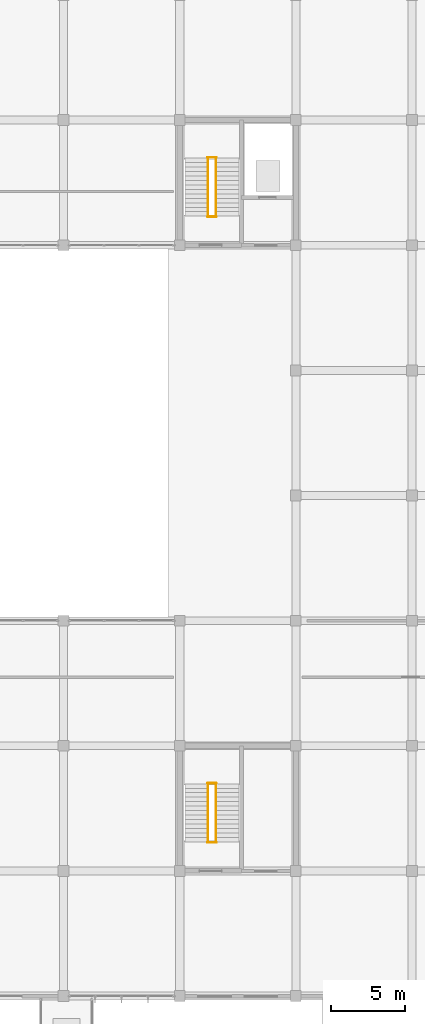
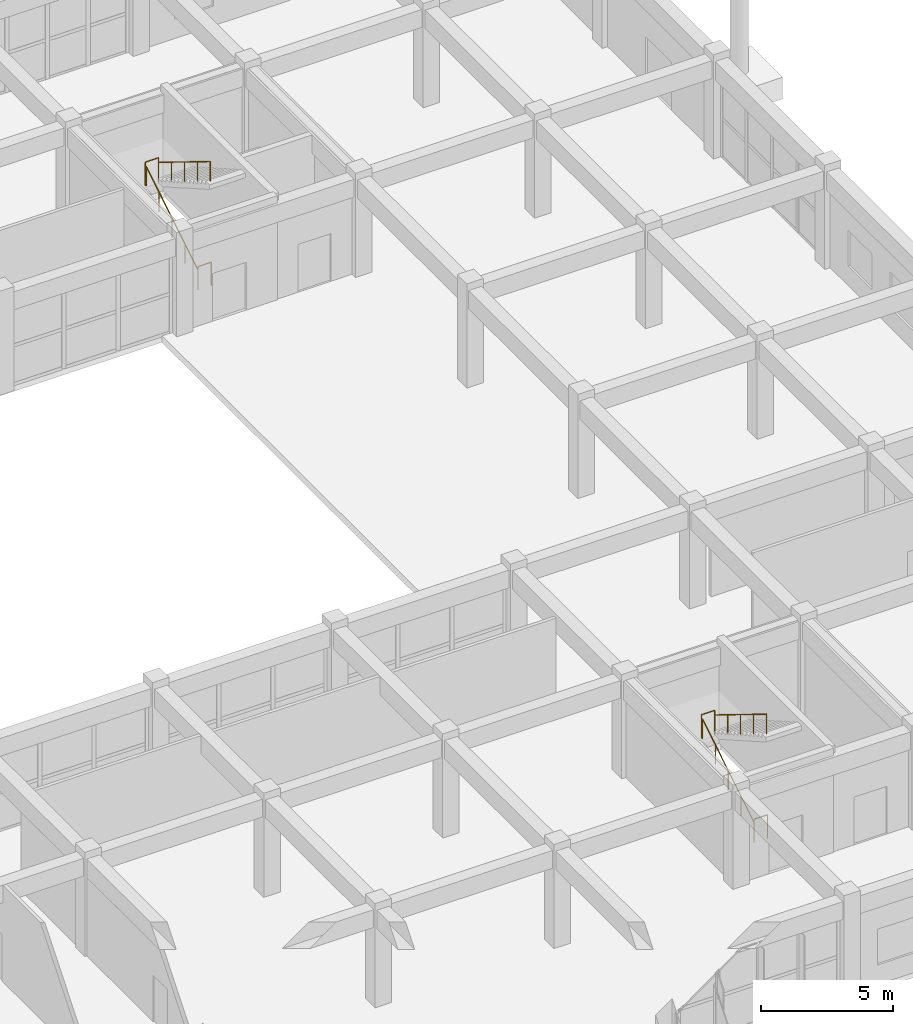
# One storey, part 138 of 139: 8 railings.
"""IFC4 building model written with IfcOpenShell, lengths in metres."""

import ifcopenshell
import ifcopenshell.guid

model = None  # the IFC model being written
_history = None  # IfcOwnerHistory: only IFC2X3 demands one
_inside = {}  # id of a spatial element -> (the spatial element, [elements in it])
_under = {}  # id of a project, library or spatial element -> (it, [spatial elements below it])
_declared = {}  # id of a project -> (the project, [libraries it declares])
_typed = {}  # id of a type object -> (the type object, [elements of that type])
_made_of = {}  # id of a material, layer set ... -> (it, [elements and type objects made of it])


def new_model(schema):
    """Start an empty IFC model of exactly this schema.

    Asked for "IFC4X3", IfcOpenShell would pick the latest addendum, in which some entities
    have other attributes; the version numbers below select the first issue.
    IFC2X3 requires an IfcOwnerHistory on every rooted entity: one is made here for all.
    """
    global model, _history
    if schema == "IFC4X3":
        model = ifcopenshell.file(schema_version=(4, 3, 0, 0))
    else:
        model = ifcopenshell.file(schema=schema)
    _inside.clear()
    _under.clear()
    _declared.clear()
    _typed.clear()
    _made_of.clear()
    _history = None
    if model.schema == "IFC2X3":
        org = make("IfcOrganization", Name="unknown")
        user = make(
            "IfcPersonAndOrganization",
            ThePerson=make("IfcPerson", FamilyName="unknown"),
            TheOrganization=org,
        )
        app = make(
            "IfcApplication",
            ApplicationDeveloper=org,
            Version="unknown",
            ApplicationFullName="unknown",
            ApplicationIdentifier="unknown",
        )
        _history = make(
            "IfcOwnerHistory",
            OwningUser=user,
            OwningApplication=app,
            ChangeAction="ADDED",
            CreationDate=0,
        )
    return model


def make(cls, **values):
    """One entity of the class cls with the attributes given. An attribute that is None is left unset."""
    return model.create_entity(
        cls, **{name: value for name, value in values.items() if value is not None}
    )


def rooted(cls, **values):
    """An entity with a GlobalId (a new one), such as an element, a storey or a relation."""
    return make(cls, GlobalId=ifcopenshell.guid.new(), OwnerHistory=_history, **values)


def si_unit(unit_type, name, prefix=None):
    """IfcSIUnit, for example si_unit("LENGTHUNIT", "METRE", prefix="MILLI")."""
    return make("IfcSIUnit", UnitType=unit_type, Prefix=prefix, Name=name)


def assignment(units):
    """IfcUnitAssignment: the units of a project."""
    return None if units is None else make("IfcUnitAssignment", Units=units)


def point(xyz):
    """IfcCartesianPoint."""
    return None if xyz is None else make("IfcCartesianPoint", Coordinates=xyz)


def direction(xyz):
    """IfcDirection."""
    return None if xyz is None else make("IfcDirection", DirectionRatios=xyz)


def frame(location, z_axis=None, x_axis=None):
    """IfcAxis2Placement3D, a coordinate frame: its origin and axes. An axis left out is left unset."""
    return make(
        "IfcAxis2Placement3D",
        Location=point(location),
        Axis=direction(z_axis),
        RefDirection=direction(x_axis),
    )


def frame_2d(location, x_axis=None):
    """IfcAxis2Placement2D, a coordinate frame in the plane: its origin and x axis."""
    return make(
        "IfcAxis2Placement2D", Location=point(location), RefDirection=direction(x_axis)
    )


def origin():
    """The frame at (0, 0, 0) with its axes left unset."""
    return frame((0.0, 0.0, 0.0))


def origin_2d():
    """The frame at (0, 0) in the plane with its x axis left unset."""
    return frame_2d((0.0, 0.0))


def place(relative_to, where):
    """IfcLocalPlacement: puts the frame where relative to a parent placement (None: the world)."""
    return make(
        "IfcLocalPlacement", PlacementRelTo=relative_to, RelativePlacement=where
    )


def context(
    kind, dimensions, precision=None, world=None, true_north=None, identifier=None
):
    """IfcGeometricRepresentationContext, for example the 3D "Model" context."""
    return make(
        "IfcGeometricRepresentationContext",
        ContextIdentifier=identifier,
        ContextType=kind,
        CoordinateSpaceDimension=dimensions,
        Precision=precision,
        WorldCoordinateSystem=world,
        TrueNorth=true_north,
    )


def subcontext(parent, identifier, kind, view, scale=None):
    """IfcGeometricRepresentationSubContext, for example "Body" below "Model"."""
    return make(
        "IfcGeometricRepresentationSubContext",
        ContextIdentifier=identifier,
        ContextType=kind,
        ParentContext=parent,
        TargetScale=scale,
        TargetView=view,
    )


def project(units=None, contexts=None):
    """IfcProject with its units and contexts."""
    return rooted(
        "IfcProject",
        Name="project",
        RepresentationContexts=contexts,
        UnitsInContext=assignment(units),
    )


def spatial(cls, under=None, at=None, **own):
    """A site, building, storey or space (cls), placed at a placement, below another one or the project."""
    s = rooted(cls, ObjectPlacement=at, **own)
    if under is not None:
        _under.setdefault(under.id(), (under, []))[1].append(s)
    return s


def profile(cls, at=None, kind="AREA", **sizes):
    """A parametric profile (cls). Its sizes go by their IFC names, for example OverallWidth=200.0."""
    return make(cls, ProfileType=kind, Position=at, **sizes)


def circle(**sizes):
    """IfcCircleProfileDef."""
    return profile("IfcCircleProfileDef", **sizes)


def hollow_circle(**sizes):
    """IfcCircleHollowProfileDef."""
    return profile("IfcCircleHollowProfileDef", **sizes)


def extrude(swept, where, along, depth):
    """IfcExtrudedAreaSolid: the profile swept, set in the frame where, extruded along a direction by depth."""
    return make(
        "IfcExtrudedAreaSolid",
        SweptArea=swept,
        Position=where,
        ExtrudedDirection=direction(along),
        Depth=depth,
    )


def shape(context_of_items, identifier, shape_type, items):
    """IfcShapeRepresentation: the items that make up one representation, for example the "Body"."""
    return make(
        "IfcShapeRepresentation",
        ContextOfItems=context_of_items,
        RepresentationIdentifier=identifier,
        RepresentationType=shape_type,
        Items=items,
    )


def material(Name=None, Category=None):
    """IfcMaterial."""
    return make("IfcMaterial", Name=Name, Category=Category)


def material_profile(
    of_material, cross_section, Name=None, Category=None, Priority=None
):
    """IfcMaterialProfile: a cross section and its material."""
    return make(
        "IfcMaterialProfile",
        Name=Name,
        Material=of_material,
        Profile=cross_section,
        Priority=Priority,
        Category=Category,
    )


def profile_set(profiles, Name=None, composite=None):
    """IfcMaterialProfileSet."""
    return make(
        "IfcMaterialProfileSet",
        Name=Name,
        MaterialProfiles=profiles,
        CompositeProfile=composite,
    )


def made_of(thing, what):
    """Note that an element or type object is made of a material, layer set ...; save() writes the relation."""
    if what is not None:
        _made_of.setdefault(what.id(), (what, []))[1].append(thing)
    return thing


def type_object(cls, material=None, **own):
    """A type object (cls), such as IfcWallType, which elements share."""
    return made_of(rooted(cls, **own), material)


def element(
    cls,
    number,
    at=None,
    inside=None,
    cuts=None,
    type_object=None,
    material=None,
    context=None,
    identifier="Body",
    shape_type=None,
    held_by="IfcProductDefinitionShape",
    body=None,
    shapes=None,
    **own,
):
    """One element of the class cls, such as IfcWall. Its Tag is "e" and its number.

    at: its placement. inside: the storey or other place that contains it. cuts: it is an
    opening in that element (IfcRelVoidsElement). A single representation is given by context,
    identifier, shape_type and body (its items); several are given by shapes. held_by: the class
    of the entity that holds the representations. save() writes the other relations.
    """
    e = rooted(cls, Tag="e%d" % number, ObjectPlacement=at, **own)
    if body is not None:
        shapes = [shape(context, identifier, shape_type, body)]
    if shapes is not None:
        e.Representation = make(held_by, Representations=shapes)
    if inside is not None:
        _inside.setdefault(inside.id(), (inside, []))[1].append(e)
    if cuts is not None:
        rooted(
            "IfcRelVoidsElement", RelatingBuildingElement=cuts, RelatedOpeningElement=e
        )
    if type_object is not None:
        _typed.setdefault(type_object.id(), (type_object, []))[1].append(e)
    return made_of(e, material)


def aggregate(whole, parts):
    """IfcRelAggregates: a whole, such as a stair, and the parts it consists of."""
    return rooted("IfcRelAggregates", RelatingObject=whole, RelatedObjects=parts)


def save(model, path):
    """Write the relations noted so far, then the file.

    IfcRelAggregates (storeys below a building ...), IfcRelContainedInSpatialStructure (elements
    in a storey), IfcRelDefinesByType, IfcRelAssociatesMaterial and IfcRelDeclares: one each for
    every whole, place, type object, material and project.
    """
    for whole, parts in _under.values():
        aggregate(whole, parts)
    for where, things in _inside.values():
        rooted(
            "IfcRelContainedInSpatialStructure",
            RelatedElements=things,
            RelatingStructure=where,
        )
    for kind, things in _typed.values():
        rooted("IfcRelDefinesByType", RelatedObjects=things, RelatingType=kind)
    for what, things in _made_of.values():
        rooted("IfcRelAssociatesMaterial", RelatedObjects=things, RelatingMaterial=what)
    for by, libraries in _declared.values():
        rooted("IfcRelDeclares", RelatingContext=by, RelatedDefinitions=libraries)
    model.write(path)


model = new_model("IFC4")

# Units and contexts
model_context = context("Model", 3, precision=1e-05, world=origin(), true_north=direction((0.0, 1.0)))
body_context = subcontext(model_context, "Body", "Model", "MODEL_VIEW")
ifc_project = project(units=[si_unit("LENGTHUNIT", "METRE"), si_unit("AREAUNIT", "SQUARE_METRE"), si_unit("VOLUMEUNIT", "CUBIC_METRE"), si_unit("PLANEANGLEUNIT", "RADIAN"), si_unit("MASSUNIT", "GRAM", prefix="KILO")], contexts=[model_context])

# Site, building, storey
site_placement = place(None, origin())
site = spatial("IfcSite", under=ifc_project, at=site_placement, CompositionType="ELEMENT")
building_placement = place(site_placement, origin())
building = spatial("IfcBuilding", under=site, at=building_placement, Name="Zizhar Promenade General Hospital", CompositionType="ELEMENT")
storey_placement = place(building_placement, origin())
storey = spatial("IfcBuildingStorey", under=building, at=storey_placement, Name="L00", CompositionType="ELEMENT", Elevation=0.0)

# Railings
ifc_material_1 = material(Name="Anodised aluminium 6063-T6", Category="aluminium")
ifc_material_profile_1 = material_profile(ifc_material_1, hollow_circle(Radius=0.06982421875, WallThickness=0.00634765625, at=origin_2d()))
ifc_profile_set_1 = profile_set([ifc_material_profile_1], Name="Anodised aluminium 6063-T6")
railing_type_1 = type_object("IfcRailingType", Name="RL-HANDRAIL-920", PredefinedType="HANDRAIL", material=ifc_profile_set_1)
railing_1_placement = place(storey_placement, frame((173.5, 94.35009765625, 0.0)))
element("IfcRailing", 1, at=railing_1_placement, inside=storey, type_object=railing_type_1, Name="Stair ST-08 Flight 1 Handrail (L00)", PredefinedType="HANDRAIL", context=body_context, shape_type="SweptSolid", body=[
    extrude(circle(Radius=0.02392578125, at=origin_2d()), frame((0.0, 0.0, 0.89599609375), z_axis=(0.0, 0.851661977835, 0.524091476281), x_axis=(-1.0, 0.0, 0.0)), (0.0, 0.0, 1.0), 4.5791015625),
    extrude(circle(Radius=0.02099609375, at=origin_2d()), origin(), (0.0, 0.0, 1.0), 0.871826171875),
    extrude(circle(Radius=0.02099609375, at=origin_2d()), frame((0.0, 0.97509765625, 0.60009765625)), (0.0, 0.0, 1.0), 0.871826171875),
    extrude(circle(Radius=0.02099609375, at=origin_2d()), frame((0.0, 1.949951171875, 1.199951171875)), (0.0, 0.0, 1.0), 0.871826171875),
    extrude(circle(Radius=0.02099609375, at=origin_2d()), frame((0.0, 2.9248046875, 1.7998046875)), (0.0, 0.0, 1.0), 0.871826171875),
    extrude(circle(Radius=0.02099609375, at=origin_2d()), frame((0.0, 3.89990234375, 2.39990234375)), (0.0, 0.0, 1.0), 0.871826171875),
])
railing_2_placement = place(storey_placement, frame((174.0400390625, 98.25, 2.39990234375)))
element("IfcRailing", 2, at=railing_2_placement, inside=storey, type_object=railing_type_1, Name="Stair ST-08 Flight 2 Handrail (L00)", PredefinedType="HANDRAIL", context=body_context, shape_type="SweptSolid", body=[
    extrude(circle(Radius=0.02392578125, at=origin_2d()), frame((0.0, 0.0, 0.89599609375), z_axis=(0.0, -0.851638180308, 0.5241301459), x_axis=(1.0, 0.0, 0.0)), (0.0, 0.0, 1.0), 4.579345703125),
    extrude(circle(Radius=0.02099609375, at=origin_2d()), origin(), (0.0, 0.0, 1.0), 0.871826171875),
    extrude(circle(Radius=0.02099609375, at=origin_2d()), frame((0.0, -0.97509765625, 0.60009765625)), (0.0, 0.0, 1.0), 0.871826171875),
    extrude(circle(Radius=0.02099609375, at=origin_2d()), frame((0.0, -1.949951171875, 1.2001953125)), (0.0, 0.0, 1.0), 0.871826171875),
    extrude(circle(Radius=0.02099609375, at=origin_2d()), frame((0.0, -2.9248046875, 1.800048828125)), (0.0, 0.0, 1.0), 0.871826171875),
    extrude(circle(Radius=0.02099609375, at=origin_2d()), frame((0.0, -3.89990234375, 2.400146484375)), (0.0, 0.0, 1.0), 0.871826171875),
])
railing_3_placement = place(storey_placement, frame((173.5, 52.35009765625, 0.0)))
element("IfcRailing", 3, at=railing_3_placement, inside=storey, type_object=railing_type_1, Name="Stair ST-09 Flight 1 Handrail (L00)", PredefinedType="HANDRAIL", context=body_context, shape_type="SweptSolid", body=[
    extrude(circle(Radius=0.02392578125, at=origin_2d()), frame((0.0, 0.0, 0.89599609375), z_axis=(0.0, 0.851661977835, 0.524091476281), x_axis=(-1.0, 0.0, 0.0)), (0.0, 0.0, 1.0), 4.5791015625),
    extrude(circle(Radius=0.02099609375, at=origin_2d()), origin(), (0.0, 0.0, 1.0), 0.871826171875),
    extrude(circle(Radius=0.02099609375, at=origin_2d()), frame((0.0, 0.97509765625, 0.60009765625)), (0.0, 0.0, 1.0), 0.871826171875),
    extrude(circle(Radius=0.02099609375, at=origin_2d()), frame((0.0, 1.949951171875, 1.199951171875)), (0.0, 0.0, 1.0), 0.871826171875),
    extrude(circle(Radius=0.02099609375, at=origin_2d()), frame((0.0, 2.9248046875, 1.7998046875)), (0.0, 0.0, 1.0), 0.871826171875),
    extrude(circle(Radius=0.02099609375, at=origin_2d()), frame((0.0, 3.89990234375, 2.39990234375)), (0.0, 0.0, 1.0), 0.871826171875),
])
railing_4_placement = place(storey_placement, frame((174.0400390625, 56.25, 2.39990234375)))
element("IfcRailing", 4, at=railing_4_placement, inside=storey, type_object=railing_type_1, Name="Stair ST-09 Flight 2 Handrail (L00)", PredefinedType="HANDRAIL", context=body_context, shape_type="SweptSolid", body=[
    extrude(circle(Radius=0.02392578125, at=origin_2d()), frame((0.0, 0.0, 0.89599609375), z_axis=(0.0, -0.851638180308, 0.5241301459), x_axis=(1.0, 0.0, 0.0)), (0.0, 0.0, 1.0), 4.579345703125),
    extrude(circle(Radius=0.02099609375, at=origin_2d()), origin(), (0.0, 0.0, 1.0), 0.871826171875),
    extrude(circle(Radius=0.02099609375, at=origin_2d()), frame((0.0, -0.97509765625, 0.60009765625)), (0.0, 0.0, 1.0), 0.871826171875),
    extrude(circle(Radius=0.02099609375, at=origin_2d()), frame((0.0, -1.949951171875, 1.2001953125)), (0.0, 0.0, 1.0), 0.871826171875),
    extrude(circle(Radius=0.02099609375, at=origin_2d()), frame((0.0, -2.9248046875, 1.800048828125)), (0.0, 0.0, 1.0), 0.871826171875),
    extrude(circle(Radius=0.02099609375, at=origin_2d()), frame((0.0, -3.89990234375, 2.400146484375)), (0.0, 0.0, 1.0), 0.871826171875),
])
ifc_material_2 = material(Name="Steel S355", Category="steel")
ifc_material_profile_2 = material_profile(ifc_material_2, hollow_circle(Radius=0.06982421875, WallThickness=0.00634765625, at=origin_2d()))
ifc_profile_set_2 = profile_set([ifc_material_profile_2], Name="Steel S355")
railing_type_2 = type_object("IfcRailingType", Name="RL-STAIR-GUARD-1100", PredefinedType="GUARDRAIL", material=ifc_profile_set_2)
for number, where, name in (
    (5, (173.47998046875, 98.2900390625, 2.39990234375), "Stair ST-08 Half-Landing Guard (L00)"),
    (6, (173.47998046875, 94.31005859375, 0.0), "Stair ST-08 Landing Well Guard (L00)"),
    (7, (173.47998046875, 56.2900390625, 2.39990234375), "Stair ST-09 Half-Landing Guard (L00)"),
    (8, (173.47998046875, 52.31005859375, 0.0), "Stair ST-09 Landing Well Guard (L00)"),
):
    element("IfcRailing", number, at=place(storey_placement, frame(where)), inside=storey, type_object=railing_type_2, Name=name, PredefinedType="GUARDRAIL", context=body_context, shape_type="SweptSolid", body=[
        extrude(circle(Radius=0.02392578125, at=origin_2d()), frame((0.0, 0.0, 1.076171875), z_axis=(1.0, 0.0, 0.0), x_axis=(0.0, 1.0, 0.0)), (0.0, 0.0, 1.0), 0.580078125),
        extrude(circle(Radius=0.02099609375, at=origin_2d()), origin(), (0.0, 0.0, 1.0), 1.052001953125),
        extrude(circle(Radius=0.02099609375, at=origin_2d()), frame((0.580078125, 0.0, 0.0)), (0.0, 0.0, 1.0), 1.052001953125),
    ])

save(model, "model.ifc")
